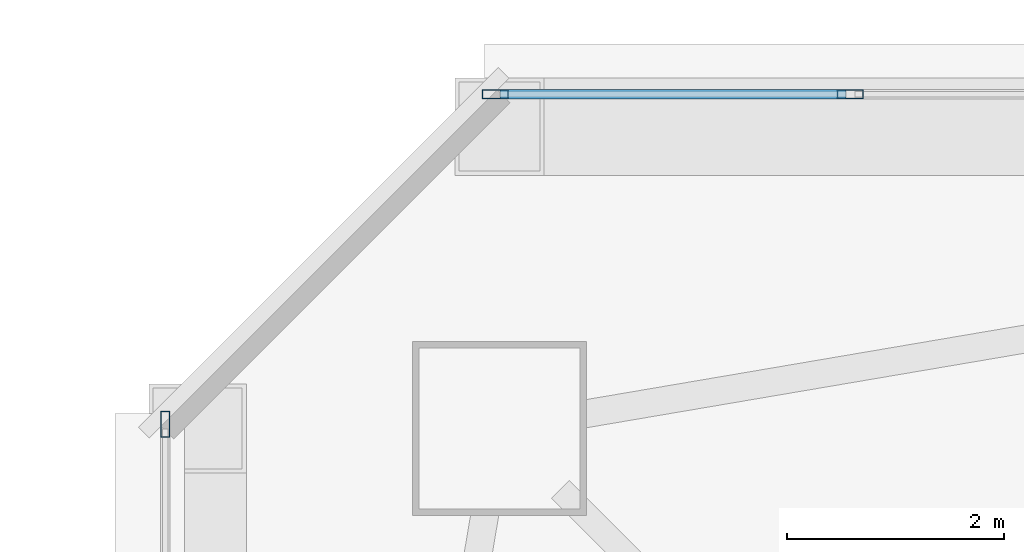
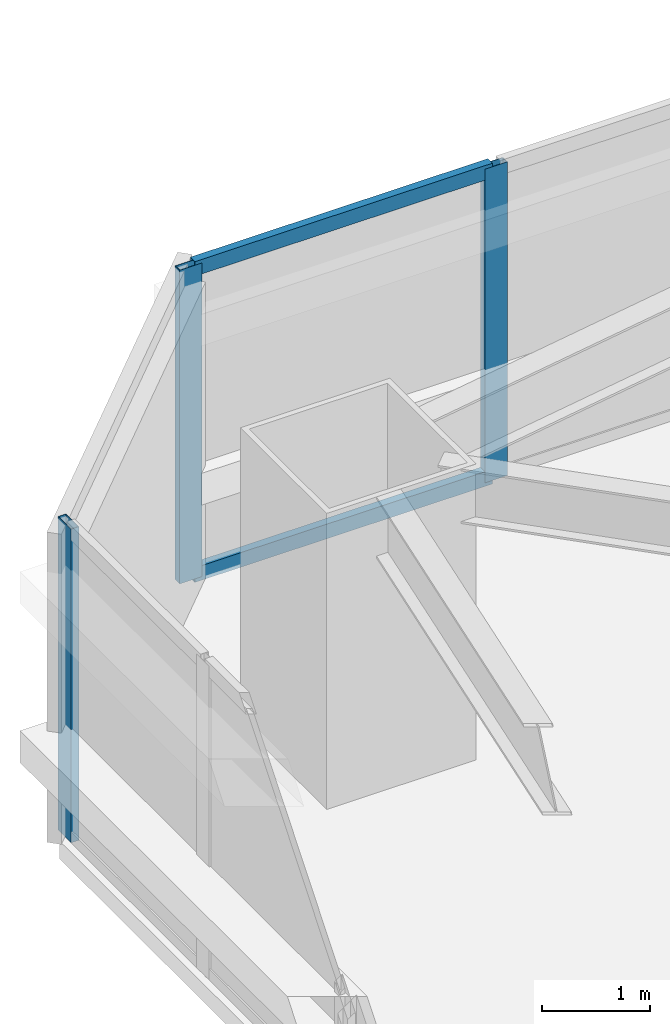
# One storey, part 21 of 75: 5 members, 2 elements without a shape of their own.
"""IFC4 building model written with IfcOpenShell, lengths in metres."""

from ifc_helpers import new_model, si_unit, direction, frame, origin, origin_2d, place, context, subcontext, project, spatial, hollow_rectangle, extrude, material, material_profile, profile_set, type_object, element, aggregate, save


model = new_model("IFC4")

# Units and contexts
model_context = context("Model", 3, precision=1e-05, world=origin(), true_north=direction((0.0, 1.0)))
body_context = subcontext(model_context, "Body", "Model", "MODEL_VIEW")
ifc_project = project(units=[si_unit("LENGTHUNIT", "METRE"), si_unit("AREAUNIT", "SQUARE_METRE"), si_unit("VOLUMEUNIT", "CUBIC_METRE"), si_unit("PLANEANGLEUNIT", "RADIAN"), si_unit("MASSUNIT", "GRAM", prefix="KILO")], contexts=[model_context])

# Site, building, storey
site_placement = place(None, origin())
site = spatial("IfcSite", under=ifc_project, at=site_placement, CompositionType="ELEMENT")
building_placement = place(site_placement, origin())
building = spatial("IfcBuilding", under=site, at=building_placement, Name="Tashvorn Skyway Center", CompositionType="ELEMENT")
storey_placement = place(building_placement, frame((0.0, 0.0, 45.89990234375)))
storey = spatial("IfcBuildingStorey", under=building, at=storey_placement, Name="L11", CompositionType="ELEMENT", Elevation=45.89990234375)

# Curtain wall, member
ifc_material = material(Name="Thermally broken bronze-anodized aluminium 6063-T6", Category="aluminium")
curtain_wall_type = type_object("IfcCurtainWallType", Name="CW-CW-Z1", PredefinedType="NOTDEFINED", material=ifc_material)
curtain_wall_1_placement = place(storey_placement, origin())
curtain_wall_1 = element("IfcCurtainWall", 1, at=curtain_wall_1_placement, inside=storey, type_object=curtain_wall_type, Name="Tower 1 L11 West Curtain Wall R Glazing Group 2", PredefinedType="NOTDEFINED")
ifc_material_profile_1 = material_profile(ifc_material, hollow_rectangle(XDim=0.0849609375, YDim=0.239990234375, WallThickness=0.0048828125, at=origin_2d()), Name="ALU-MULL-85x240")
ifc_profile_set_1 = profile_set([ifc_material_profile_1], Name="Thermally broken bronze-anodized aluminium 6063-T6")
member_type_1 = type_object("IfcMemberType", Name="CWM-CW-Z1", PredefinedType="MULLION", material=ifc_profile_set_1)
member_1_placement = place(storey_placement, frame((19.1201171875, 51.83740234375, 0.0), z_axis=(0.0, 0.0, 1.0), x_axis=(-1.0, 0.0, 0.0)))
member_1 = element("IfcMember", 2, at=member_1_placement, type_object=member_type_1, Name="CW-Z1 mullion 3", PredefinedType="MULLION", context=body_context, shape_type="SweptSolid", body=[
    extrude(hollow_rectangle(XDim=0.0849609375, YDim=0.239990234375, WallThickness=0.0048828125, at=origin_2d()), origin(), (0.0, 0.0, 1.0), 3.550048828125),
])
aggregate(curtain_wall_1, [member_1])

# Curtain wall, members
curtain_wall_2_placement = place(storey_placement, origin())
curtain_wall_2 = element("IfcCurtainWall", 3, at=curtain_wall_2_placement, inside=storey, type_object=curtain_wall_type, Name="Tower 1 L11 North Unitised Curtain Wall Glazing Group 1", PredefinedType="NOTDEFINED")
member_2_placement = place(storey_placement, frame((22.16259765625, 54.8798828125, 0.0), z_axis=(0.0, 0.0, 1.0), x_axis=(0.0, 1.0, 0.0)))
member_2 = element("IfcMember", 4, at=member_2_placement, type_object=member_type_1, Name="CW-Z1 mullion 1", PredefinedType="MULLION", context=body_context, shape_type="SweptSolid", body=[
    extrude(hollow_rectangle(XDim=0.0849609375, YDim=0.239990234375, WallThickness=0.0048828125, at=origin_2d()), origin(), (0.0, 0.0, 1.0), 3.550048828125),
])
member_3_placement = place(storey_placement, frame((25.433349609375, 54.8798828125, 0.0), z_axis=(0.0, 0.0, 1.0), x_axis=(0.0, 1.0, 0.0)))
member_3 = element("IfcMember", 5, at=member_3_placement, type_object=member_type_1, Name="CW-Z1 mullion 2", PredefinedType="MULLION", context=body_context, shape_type="SweptSolid", body=[
    extrude(hollow_rectangle(XDim=0.0849609375, YDim=0.239990234375, WallThickness=0.0048828125, at=origin_2d()), origin(), (0.0, 0.0, 1.0), 3.550048828125),
])
ifc_material_profile_2 = material_profile(ifc_material, hollow_rectangle(XDim=0.0849609375, YDim=0.1650390625, WallThickness=0.0048828125, at=origin_2d()), Name="ALU-TRAN-85x165")
ifc_profile_set_2 = profile_set([ifc_material_profile_2], Name="Thermally broken bronze-anodized aluminium 6063-T6")
member_type_2 = type_object("IfcMemberType", Name="CWT-CW-Z1", PredefinedType="USERDEFINED", material=ifc_profile_set_2)
member_4_placement = place(storey_placement, frame((22.205078125, 54.8798828125, 0.04248046875), z_axis=(1.0, 0.0, 0.0), x_axis=(0.0, 1.0, 0.0)))
member_4 = element("IfcMember", 6, at=member_4_placement, type_object=member_type_2, Name="CW-Z1 transom 1.1", ObjectType="TRANSOM", PredefinedType="USERDEFINED", context=body_context, shape_type="SweptSolid", body=[
    extrude(hollow_rectangle(XDim=0.0849609375, YDim=0.1650390625, WallThickness=0.0048828125, at=origin_2d()), origin(), (0.0, 0.0, 1.0), 3.185791015625),
])
member_5_placement = place(storey_placement, frame((22.205078125, 54.8798828125, 3.507568359375), z_axis=(1.0, 0.0, 0.0), x_axis=(0.0, 1.0, 0.0)))
member_5 = element("IfcMember", 7, at=member_5_placement, type_object=member_type_2, Name="CW-Z1 transom 1.2", ObjectType="TRANSOM", PredefinedType="USERDEFINED", context=body_context, shape_type="SweptSolid", body=[
    extrude(hollow_rectangle(XDim=0.0849609375, YDim=0.1650390625, WallThickness=0.0048828125, at=origin_2d()), origin(), (0.0, 0.0, 1.0), 3.185791015625),
])
aggregate(curtain_wall_2, [member_2, member_3, member_4, member_5])

save(model, "model.ifc")
